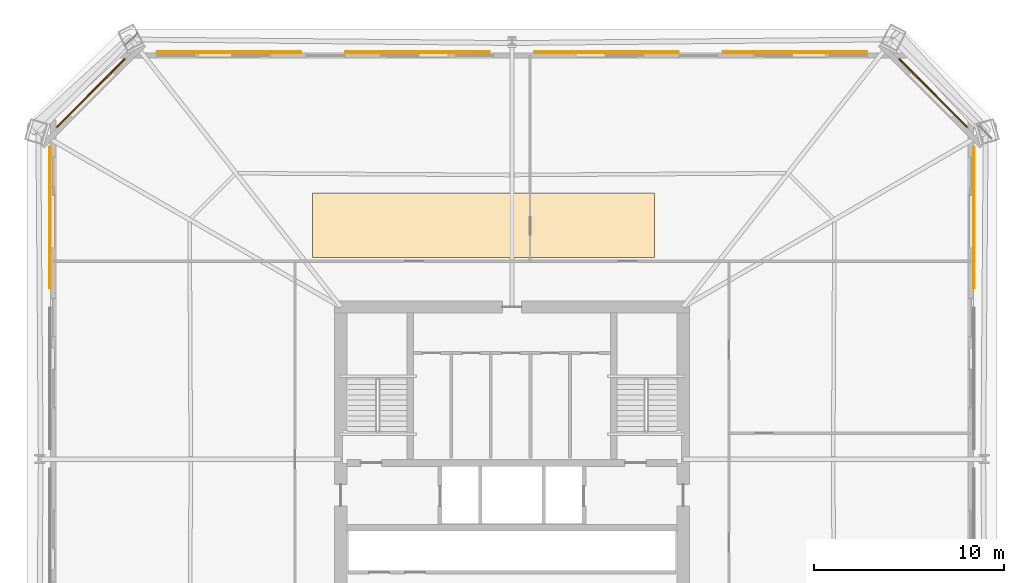
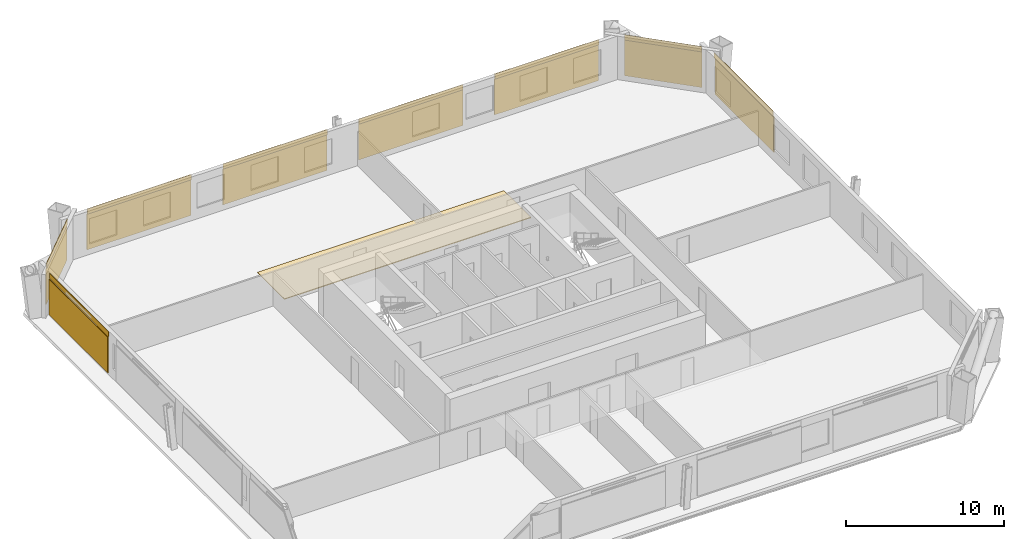
# One storey, part 10 of 10: 9 coverings, 8 shading devices.
"""IFC4 building model written with IfcOpenShell, lengths in metres."""

from ifc_helpers import new_model, si_unit, direction, frame, origin, origin_2d, place, context, subcontext, project, spatial, polyline, rectangle, outline, extrude, material, layer, layer_set, type_object, element, save


model = new_model("IFC4")

# Units and contexts
model_context = context("Model", 3, precision=1e-05, world=origin(), true_north=direction((0.0, 1.0)))
body_context = subcontext(model_context, "Body", "Model", "MODEL_VIEW")
ifc_project = project(units=[si_unit("LENGTHUNIT", "METRE"), si_unit("AREAUNIT", "SQUARE_METRE"), si_unit("VOLUMEUNIT", "CUBIC_METRE"), si_unit("PLANEANGLEUNIT", "RADIAN"), si_unit("MASSUNIT", "GRAM", prefix="KILO")], contexts=[model_context])

# Site, building, storey
site_placement = place(None, origin())
site = spatial("IfcSite", under=ifc_project, at=site_placement, CompositionType="ELEMENT")
building_placement = place(site_placement, origin())
building = spatial("IfcBuilding", under=site, at=building_placement, Name="Caelvoria Tower", CompositionType="ELEMENT")
storey_placement = place(building_placement, frame((0.0, 0.0, 56.800048828125)))
storey = spatial("IfcBuildingStorey", under=building, at=storey_placement, Name="L14", CompositionType="ELEMENT", Elevation=56.800048828125)

# Coverings
ifc_material_1 = material(Name="Perforated Architectural Bronze Cladding Screen", Category="bronze")
ifc_layer_1 = layer(ifc_material_1, 0.0400390625, Name="Perforated Architectural Bronze Cladding Screen")
ifc_layer_set_1 = layer_set([ifc_layer_1], Name="Perforated Bronze Louvre Cladding Band 40 - Perforated Architectural Bronze Cladding Screen")
covering_type_1 = type_object("IfcCoveringType", Name="Perforated Bronze Louvre Cladding Band 40", PredefinedType="CLADDING", material=ifc_layer_set_1)
covering_1_placement = place(storey_placement, frame((70.27197265625, 44.705078125, 2.93994140625), z_axis=(0.0, 0.0, 1.0), x_axis=(0.0, 1.0, 0.0)))
element("IfcCovering", 1, at=covering_1_placement, inside=storey, type_object=covering_type_1, Name="Perforated Bronze Screen Band L14-E2-03", PredefinedType="CLADDING", context=body_context, shape_type="SweptSolid", body=[
    extrude(rectangle(XDim=7.45361328125, YDim=0.0400390625, at=origin_2d()), origin(), (0.0, 0.0, 1.0), 0.39990234375),
])
covering_2_placement = place(storey_placement, frame((68.131591796875, 51.231689453125, 2.93994140625), z_axis=(0.0, 0.0, 1.0), x_axis=(-0.707106781187, 0.707106781187, 0.0)))
element("IfcCovering", 2, at=covering_2_placement, inside=storey, type_object=covering_type_1, Name="Perforated Bronze Screen Band L14-E3-00", PredefinedType="CLADDING", context=body_context, shape_type="SweptSolid", body=[
    extrude(rectangle(XDim=5.060791015625, YDim=0.0400390625, at=origin_2d()), origin(), (0.0, 0.0, 1.0), 0.39990234375),
])
for number, where, z_axis, x_axis, name in (
    (3, (60.8798828125, 53.3720703125, 2.93994140625), (0.0, 0.0, 1.0), (-1.0, 0.0, 0.0), "Perforated Bronze Screen Band L14-E4-00"),
    (4, (50.9599609375, 53.3720703125, 2.93994140625), (0.0, 0.0, 1.0), (-1.0, 0.0, 0.0), "Perforated Bronze Screen Band L14-E4-01"),
    (5, (41.0400390625, 53.3720703125, 2.93994140625), (0.0, 0.0, 1.0), (-1.0, 0.0, 0.0), "Perforated Bronze Screen Band L14-E4-02"),
    (6, (31.1201171875, 53.3720703125, 2.93994140625), (0.0, 0.0, 1.0), (-1.0, 0.0, 0.0), "Perforated Bronze Screen Band L14-E4-03"),
):
    element("IfcCovering", number, at=place(storey_placement, frame(where, z_axis=z_axis, x_axis=x_axis)), inside=storey, type_object=covering_type_1, Name=name, PredefinedType="CLADDING", context=body_context, shape_type="SweptSolid", body=[
        extrude(rectangle(XDim=7.60009765625, YDim=0.0400390625, at=origin_2d()), origin(), (0.0, 0.0, 1.0), 0.39990234375),
    ])
covering_3_placement = place(storey_placement, frame((23.868408203125, 51.231689453125, 2.93994140625), z_axis=(0.0, 0.0, 1.0), x_axis=(-0.707106781187, -0.707106781187, 0.0)))
element("IfcCovering", 7, at=covering_3_placement, inside=storey, type_object=covering_type_1, Name="Perforated Bronze Screen Band L14-E5-00", PredefinedType="CLADDING", context=body_context, shape_type="SweptSolid", body=[
    extrude(rectangle(XDim=5.060791015625, YDim=0.0400390625, at=origin_2d()), origin(), (0.0, 0.0, 1.0), 0.39990234375),
])
covering_4_placement = place(storey_placement, frame((21.72802734375, 44.705078125, 2.93994140625), z_axis=(0.0, 0.0, 1.0), x_axis=(0.0, -1.0, 0.0)))
element("IfcCovering", 8, at=covering_4_placement, inside=storey, type_object=covering_type_1, Name="Perforated Bronze Screen Band L14-E6-00", PredefinedType="CLADDING", context=body_context, shape_type="SweptSolid", body=[
    extrude(rectangle(XDim=7.45361328125, YDim=0.0400390625, at=origin_2d()), origin(), (0.0, 0.0, 1.0), 0.39990234375),
])

# Shading devices
ifc_material_2 = material(Name="Perforated Architectural Bronze Alloy Panel", Category="bronze")
ifc_layer_2 = layer(ifc_material_2, 0.044921875, Name="Perforated Architectural Bronze Alloy Panel")
ifc_layer_set_2 = layer_set([ifc_layer_2], Name="Perforated Bronze Solar Screen Panel SCREEN - Perforated Architectural Bronze Alloy Panel")
shading_device_type = type_object("IfcShadingDeviceType", Name="Perforated Bronze Solar Screen Panel SCREEN", PredefinedType="USERDEFINED", material=ifc_layer_set_2)
shading_device_1_placement = place(storey_placement, frame((70.31494140625, 44.705078125, 0.159912109375), z_axis=(0.0, 0.0, 1.0), x_axis=(0.0, 1.0, 0.0)))
element("IfcShadingDevice", 9, at=shading_device_1_placement, inside=storey, type_object=shading_device_type, Name="Perforated Bronze Solar Screen L14-E2-03", ObjectType="SCREEN", PredefinedType="USERDEFINED", context=body_context, shape_type="SweptSolid", body=[
    extrude(rectangle(XDim=7.45361328125, YDim=0.044921875, at=origin_2d()), origin(), (0.0, 0.0, 1.0), 2.75),
])
shading_device_2_placement = place(storey_placement, frame((68.162109375, 51.26220703125, 0.159912109375), z_axis=(0.0, 0.0, 1.0), x_axis=(-0.707106781187, 0.707106781187, 0.0)))
element("IfcShadingDevice", 10, at=shading_device_2_placement, inside=storey, type_object=shading_device_type, Name="Perforated Bronze Solar Screen L14-E3-00", ObjectType="SCREEN", PredefinedType="USERDEFINED", context=body_context, shape_type="SweptSolid", body=[
    extrude(rectangle(XDim=5.060791015625, YDim=0.044921875, at=origin_2d()), origin(), (0.0, 0.0, 1.0), 2.75),
])
for number, where, z_axis, x_axis, name in (
    (11, (60.8798828125, 53.4150390625, 0.159912109375), (0.0, 0.0, 1.0), (-1.0, 0.0, 0.0), "Perforated Bronze Solar Screen L14-E4-00"),
    (12, (50.9599609375, 53.4150390625, 0.159912109375), (0.0, 0.0, 1.0), (-1.0, 0.0, 0.0), "Perforated Bronze Solar Screen L14-E4-01"),
    (13, (41.0400390625, 53.4150390625, 0.159912109375), (0.0, 0.0, 1.0), (-1.0, 0.0, 0.0), "Perforated Bronze Solar Screen L14-E4-02"),
    (14, (31.1201171875, 53.4150390625, 0.159912109375), (0.0, 0.0, 1.0), (-1.0, 0.0, 0.0), "Perforated Bronze Solar Screen L14-E4-03"),
):
    element("IfcShadingDevice", number, at=place(storey_placement, frame(where, z_axis=z_axis, x_axis=x_axis)), inside=storey, type_object=shading_device_type, Name=name, ObjectType="SCREEN", PredefinedType="USERDEFINED", context=body_context, shape_type="SweptSolid", body=[
        extrude(rectangle(XDim=7.60009765625, YDim=0.044921875, at=origin_2d()), origin(), (0.0, 0.0, 1.0), 2.75),
    ])
shading_device_3_placement = place(storey_placement, frame((23.837890625, 51.26220703125, 0.159912109375), z_axis=(0.0, 0.0, 1.0), x_axis=(-0.707106781187, -0.707106781187, 0.0)))
element("IfcShadingDevice", 15, at=shading_device_3_placement, inside=storey, type_object=shading_device_type, Name="Perforated Bronze Solar Screen L14-E5-00", ObjectType="SCREEN", PredefinedType="USERDEFINED", context=body_context, shape_type="SweptSolid", body=[
    extrude(rectangle(XDim=5.060791015625, YDim=0.044921875, at=origin_2d()), origin(), (0.0, 0.0, 1.0), 2.75),
])
shading_device_4_placement = place(storey_placement, frame((21.68505859375, 44.705078125, 0.159912109375), z_axis=(0.0, 0.0, 1.0), x_axis=(0.0, -1.0, 0.0)))
element("IfcShadingDevice", 16, at=shading_device_4_placement, inside=storey, type_object=shading_device_type, Name="Perforated Bronze Solar Screen L14-E6-00", ObjectType="SCREEN", PredefinedType="USERDEFINED", context=body_context, shape_type="SweptSolid", body=[
    extrude(rectangle(XDim=7.45361328125, YDim=0.044921875, at=origin_2d()), origin(), (0.0, 0.0, 1.0), 2.75),
])

# Covering
ifc_material_3 = material(Name="Calcium-Sulphate Raised Floor Tile", Category="gypsum")
ifc_layer_3 = layer(ifc_material_3, 0.06005859375, Name="Calcium-Sulphate Raised Floor Tile")
ifc_layer_set_3 = layer_set([ifc_layer_3], Name="Raised Access Office Floor System 120 - Calcium-Sulphate Raised Floor Tile")
covering_type_2 = type_object("IfcCoveringType", Name="Raised Access Office Floor System 120", PredefinedType="FLOORING", material=ifc_layer_set_3)
covering_5_placement = place(storey_placement, origin())
element("IfcCovering", 17, at=covering_5_placement, inside=storey, type_object=covering_type_2, Name="Raised Access Flooring L14", PredefinedType="FLOORING", context=body_context, shape_type="SweptSolid", body=[
    extrude(outline(polyline([(35.5, 42.60009765625), (53.5, 42.60009765625), (53.5, 46.0), (35.5, 46.0), (35.5, 42.60009765625)])), origin(), (0.0, 0.0, 1.0), 0.06005859375),
])

save(model, "model.ifc")
